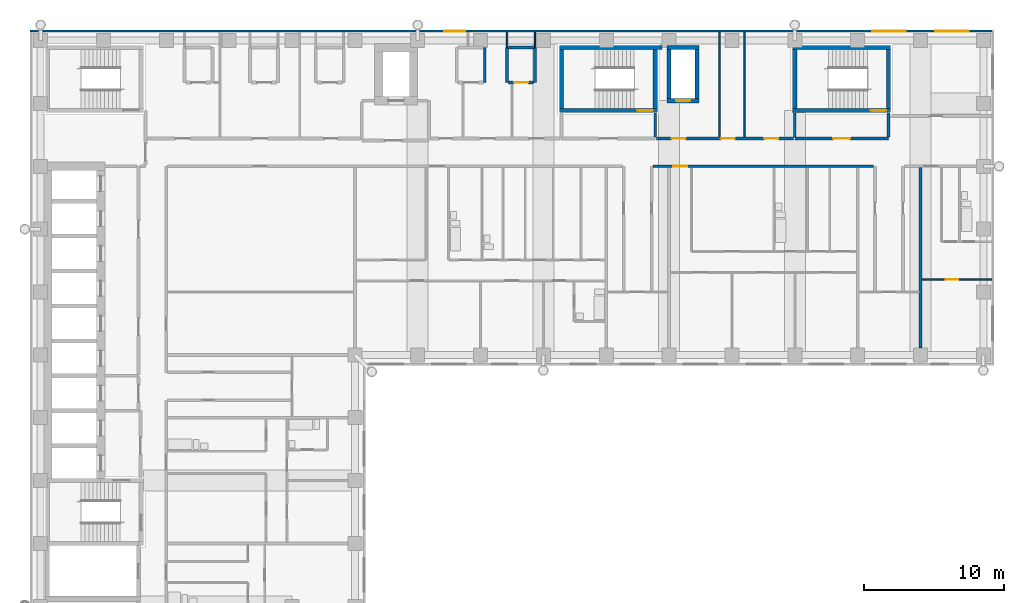
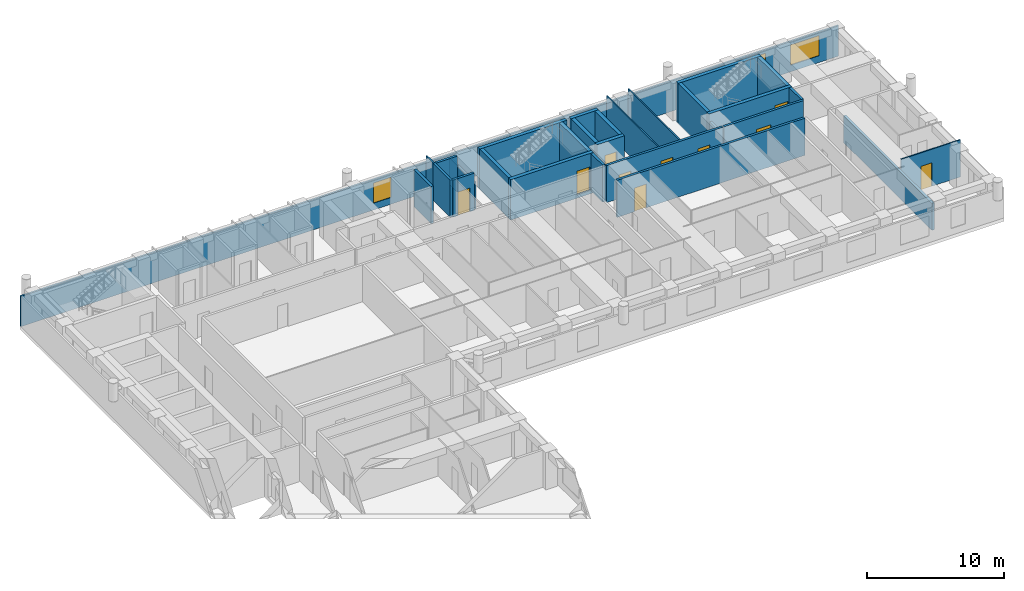
# One storey, part 10 of 14: 30 walls, 10 doors, 3 windows, 13 openings.
"""IFC4 building model written with IfcOpenShell, lengths in metres."""

from ifc_helpers import new_model, si_unit, direction, frame, frame_2d, origin, place, context, subcontext, project, spatial, rectangle, extrude, material, layer, layer_set, type_object, element, fill, save


model = new_model("IFC4")

# Units and contexts
model_context = context("Model", 3, precision=1e-05, world=origin(), true_north=direction((0.0, 1.0)))
body_context = subcontext(model_context, "Body", "Model", "MODEL_VIEW")
ifc_project = project(units=[si_unit("LENGTHUNIT", "METRE"), si_unit("AREAUNIT", "SQUARE_METRE"), si_unit("VOLUMEUNIT", "CUBIC_METRE"), si_unit("PLANEANGLEUNIT", "RADIAN"), si_unit("MASSUNIT", "GRAM", prefix="KILO")], contexts=[model_context])

# Site, building, storey
site_placement = place(None, origin())
site = spatial("IfcSite", under=ifc_project, at=site_placement, CompositionType="ELEMENT")
building_placement = place(site_placement, origin())
building = spatial("IfcBuilding", under=site, at=building_placement, Name="Firuza Court", CompositionType="ELEMENT")
storey_placement = place(building_placement, frame((0.0, 0.0, 159.199951171875)))
storey = spatial("IfcBuildingStorey", under=building, at=storey_placement, Name="L40", CompositionType="ELEMENT", Elevation=159.199951171875)

# Wall, opening, door
ifc_material_1 = material(Name="Concrete C60/75", Category="concrete")
ifc_layer_1 = layer(ifc_material_1, 0.300048828125)
ifc_layer_set_1 = layer_set([ifc_layer_1], Name="Concrete C60/75")
wall_type_1 = type_object("IfcWallType", Name="Core wall 300 C60/75", PredefinedType="SHEAR", material=ifc_layer_set_1)
wall_1_placement = place(storey_placement, frame((37.14990234375, 53.5, -0.300048828125), z_axis=(0.0, 0.0, 1.0), x_axis=(1.0, 0.0, 0.0)))
wall_1 = element("IfcWall", 1, at=wall_1_placement, inside=storey, type_object=wall_type_1, Name="Core wall stair L40", PredefinedType="SHEAR", context=body_context, shape_type="SweptSolid", body=[
    extrude(rectangle(XDim=7.0, YDim=0.300048828125, at=frame_2d((3.5, 0.0))), origin(), (0.0, 0.0, 1.0), 3.60009765625),
])
opening_1_placement = place(wall_1_placement, frame((5.580078125, 0.0, 0.300048828125)))
opening_1 = element("IfcOpeningElement", 2, at=opening_1_placement, cuts=wall_1, Name="Opening D40012", PredefinedType="OPENING", context=body_context, shape_type="SweptSolid", body=[
    extrude(rectangle(XDim=1.10009765625, YDim=2.10009765625, at=frame_2d((0.550048828125, 1.050048828125))), frame((0.0, 0.162109375, 0.0), z_axis=(0.0, -1.0, 0.0), x_axis=(1.0, 0.0, 0.0)), (0.0, 0.0, 1.0), 0.323974609375),
])
ifc_material_2 = material(Name="Timber door leaf in hardwood frame", Category="wood")
door_type_1 = type_object("IfcDoorType", Name="Stair door 1100", OperationType="SINGLE_SWING_LEFT", PredefinedType="DOOR", material=ifc_material_2)
door_1_placement = place(opening_1_placement, origin())
door_1 = element("IfcDoor", 3, at=door_1_placement, inside=storey, type_object=door_type_1, Name="Stair door S1", OperationType="SINGLE_SWING_RIGHT", OverallHeight=2.10009765625, OverallWidth=1.10009765625, PredefinedType="DOOR", context=body_context, shape_type="SweptSolid", body=[
    extrude(rectangle(XDim=1.10009765625, YDim=2.10009765625, at=frame_2d((0.550048828125, 1.050048828125))), frame((0.0, 0.02490234375, 0.0), z_axis=(0.0, -1.0, 0.0), x_axis=(1.0, 0.0, 0.0)), (0.0, 0.0, 1.0), 0.050048828125),
])
fill(opening_1, door_1)

# Walls
wall_2_placement = place(storey_placement, frame((37.14990234375, 58.0, -0.300048828125), z_axis=(0.0, 0.0, 1.0), x_axis=(1.0, 0.0, 0.0)))
element("IfcWall", 4, at=wall_2_placement, inside=storey, type_object=wall_type_1, Name="Core wall stair L40", PredefinedType="SHEAR", context=body_context, shape_type="SweptSolid", body=[
    extrude(rectangle(XDim=7.35009765625, YDim=0.300048828125, at=frame_2d((3.675048828125, 0.0))), origin(), (0.0, 0.0, 1.0), 3.60009765625),
])
for number, where, z_axis, x_axis, name in (
    (5, (37.300048828125, 53.64990234375, -0.300048828125), (0.0, 0.0, 1.0), (0.0, 1.0, 0.0), "Core wall stair L40"),
    (6, (44.0, 53.64990234375, -0.300048828125), (0.0, 0.0, 1.0), (0.0, 1.0, 0.0), "Core wall stair L40"),
):
    element("IfcWall", number, at=place(storey_placement, frame(where, z_axis=z_axis, x_axis=x_axis)), inside=storey, type_object=wall_type_1, Name=name, PredefinedType="SHEAR", context=body_context, shape_type="SweptSolid", body=[
        extrude(rectangle(XDim=4.2001953125, YDim=0.300048828125, at=frame_2d((2.10009765625, 0.0))), origin(), (0.0, 0.0, 1.0), 3.60009765625),
    ])

# Wall, opening, door
wall_3_placement = place(storey_placement, frame((44.85009765625, 54.199951171875, -0.300048828125), z_axis=(0.0, 0.0, 1.0), x_axis=(1.0, 0.0, 0.0)))
wall_3 = element("IfcWall", 7, at=wall_3_placement, inside=storey, type_object=wall_type_1, Name="Core wall riser L40", PredefinedType="SHEAR", context=body_context, shape_type="SweptSolid", body=[
    extrude(rectangle(XDim=2.2998046875, YDim=0.300048828125, at=frame_2d((1.14990234375, 0.0))), origin(), (0.0, 0.0, 1.0), 3.60009765625),
])
opening_2_placement = place(wall_3_placement, frame((0.64990234375, 0.0, 0.300048828125)))
opening_2 = element("IfcOpeningElement", 8, at=opening_2_placement, cuts=wall_3, Name="Opening D40010", PredefinedType="OPENING", context=body_context, shape_type="SweptSolid", body=[
    extrude(rectangle(XDim=1.0, YDim=2.10009765625, at=frame_2d((0.5, 1.050048828125))), frame((0.0, 0.162109375, 0.0), z_axis=(0.0, -1.0, 0.0), x_axis=(1.0, 0.0, 0.0)), (0.0, 0.0, 1.0), 0.323974609375),
])
ifc_material_3 = material(Name="Timber door leaf in hardwood frame", Category="wood")
door_type_2 = type_object("IfcDoorType", Name="Riser door 1000", OperationType="SINGLE_SWING_LEFT", PredefinedType="DOOR", material=ifc_material_3)
door_2_placement = place(opening_2_placement, origin())
door_2 = element("IfcDoor", 9, at=door_2_placement, inside=storey, type_object=door_type_2, Name="Riser door R3", OperationType="SINGLE_SWING_LEFT", OverallHeight=2.10009765625, OverallWidth=1.0, PredefinedType="DOOR", context=body_context, shape_type="SweptSolid", body=[
    extrude(rectangle(XDim=1.0, YDim=2.10009765625, at=frame_2d((0.5, 1.050048828125))), frame((0.0, 0.02490234375, 0.0), z_axis=(0.0, -1.0, 0.0), x_axis=(1.0, 0.0, 0.0)), (0.0, 0.0, 1.0), 0.050048828125),
])
fill(opening_2, door_2)

# Walls
wall_4_placement = place(storey_placement, frame((44.85009765625, 58.0, -0.300048828125), z_axis=(0.0, 0.0, 1.0), x_axis=(1.0, 0.0, 0.0)))
element("IfcWall", 10, at=wall_4_placement, inside=storey, type_object=wall_type_1, Name="Core wall riser L40", PredefinedType="SHEAR", context=body_context, shape_type="SweptSolid", body=[
    extrude(rectangle(XDim=2.2998046875, YDim=0.300048828125, at=frame_2d((1.14990234375, 0.0))), origin(), (0.0, 0.0, 1.0), 3.60009765625),
])
for number, where, z_axis, x_axis, name in (
    (11, (45.0, 54.35009765625, -0.300048828125), (0.0, 0.0, 1.0), (0.0, 1.0, 0.0), "Core wall riser L40"),
    (12, (47.0, 54.35009765625, -0.300048828125), (0.0, 0.0, 1.0), (0.0, 1.0, 0.0), "Core wall riser L40"),
):
    element("IfcWall", number, at=place(storey_placement, frame(where, z_axis=z_axis, x_axis=x_axis)), inside=storey, type_object=wall_type_1, Name=name, PredefinedType="SHEAR", context=body_context, shape_type="SweptSolid", body=[
        extrude(rectangle(XDim=3.5, YDim=0.300048828125, at=frame_2d((1.75, 0.0))), origin(), (0.0, 0.0, 1.0), 3.60009765625),
    ])

# Wall, opening, door
wall_5_placement = place(storey_placement, frame((53.85009765625, 53.5, -0.300048828125), z_axis=(0.0, 0.0, 1.0), x_axis=(1.0, 0.0, 0.0)))
wall_5 = element("IfcWall", 13, at=wall_5_placement, inside=storey, type_object=wall_type_1, Name="Core wall stair L40", PredefinedType="SHEAR", context=body_context, shape_type="SweptSolid", body=[
    extrude(rectangle(XDim=7.0, YDim=0.300048828125, at=frame_2d((3.5, 0.0))), origin(), (0.0, 0.0, 1.0), 3.60009765625),
])
opening_3_placement = place(wall_5_placement, frame((5.580078125, 0.0, 0.300048828125)))
opening_3 = element("IfcOpeningElement", 14, at=opening_3_placement, cuts=wall_5, Name="Opening D40016", PredefinedType="OPENING", context=body_context, shape_type="SweptSolid", body=[
    extrude(rectangle(XDim=1.10009765625, YDim=2.10009765625, at=frame_2d((0.550048828125, 1.050048828125))), frame((0.0, 0.162109375, 0.0), z_axis=(0.0, -1.0, 0.0), x_axis=(1.0, 0.0, 0.0)), (0.0, 0.0, 1.0), 0.323974609375),
])
door_3_placement = place(opening_3_placement, origin())
door_3 = element("IfcDoor", 15, at=door_3_placement, inside=storey, type_object=door_type_1, Name="Stair door S4", OperationType="SINGLE_SWING_RIGHT", OverallHeight=2.10009765625, OverallWidth=1.10009765625, PredefinedType="DOOR", context=body_context, shape_type="SweptSolid", body=[
    extrude(rectangle(XDim=1.10009765625, YDim=2.10009765625, at=frame_2d((0.550048828125, 1.050048828125))), frame((0.0, 0.02490234375, 0.0), z_axis=(0.0, -1.0, 0.0), x_axis=(1.0, 0.0, 0.0)), (0.0, 0.0, 1.0), 0.050048828125),
])
fill(opening_3, door_3)

# Walls
wall_6_placement = place(storey_placement, frame((53.85009765625, 58.0, -0.300048828125), z_axis=(0.0, 0.0, 1.0), x_axis=(1.0, 0.0, 0.0)))
element("IfcWall", 16, at=wall_6_placement, inside=storey, type_object=wall_type_1, Name="Core wall stair L40", PredefinedType="SHEAR", context=body_context, shape_type="SweptSolid", body=[
    extrude(rectangle(XDim=7.0, YDim=0.300048828125, at=frame_2d((3.5, 0.0))), origin(), (0.0, 0.0, 1.0), 3.60009765625),
])
for number, where, z_axis, x_axis, name in (
    (17, (54.0, 53.64990234375, -0.300048828125), (0.0, 0.0, 1.0), (0.0, 1.0, 0.0), "Core wall stair L40"),
    (18, (60.699951171875, 53.64990234375, -0.300048828125), (0.0, 0.0, 1.0), (0.0, 1.0, 0.0), "Core wall stair L40"),
):
    element("IfcWall", number, at=place(storey_placement, frame(where, z_axis=z_axis, x_axis=x_axis)), inside=storey, type_object=wall_type_1, Name=name, PredefinedType="SHEAR", context=body_context, shape_type="SweptSolid", body=[
        extrude(rectangle(XDim=4.2001953125, YDim=0.300048828125, at=frame_2d((2.10009765625, 0.0))), origin(), (0.0, 0.0, 1.0), 3.60009765625),
    ])

# Wall, opening, door
ifc_material_4 = material(Name="Blockwork, plastered both sides", Category="masonry")
ifc_layer_2 = layer(ifc_material_4, 0.199951171875)
ifc_layer_set_2 = layer_set([ifc_layer_2], Name="Blockwork, plastered both sides")
wall_type_2 = type_object("IfcWallType", Name="Corridor wall 200", PredefinedType="PARTITIONING", material=ifc_layer_set_2)
wall_7_placement = place(storey_placement, frame((43.85009765625, 49.5, 0.0), z_axis=(0.0, 0.0, 1.0), x_axis=(1.0, 0.0, 0.0)))
wall_7 = element("IfcWall", 19, at=wall_7_placement, inside=storey, type_object=wall_type_2, Name="Corridor wall 200 L40", PredefinedType="PARTITIONING", context=body_context, shape_type="SweptSolid", body=[
    extrude(rectangle(XDim=15.7998046875, YDim=0.199951171875, at=frame_2d((7.89990234375, 0.0))), origin(), (0.0, 0.0, 1.0), 3.300048828125),
])
opening_4_placement = place(wall_7_placement, frame((1.449951171875, 0.0, 0.0)))
opening_4 = element("IfcOpeningElement", 20, at=opening_4_placement, cuts=wall_7, Name="Opening D40068", PredefinedType="OPENING", context=body_context, shape_type="SweptSolid", body=[
    extrude(rectangle(XDim=1.0, YDim=2.10009765625, at=frame_2d((0.5, 1.050048828125))), frame((0.0, 0.11181640625, 0.0), z_axis=(0.0, -1.0, 0.0), x_axis=(1.0, 0.0, 0.0)), (0.0, 0.0, 1.0), 0.223876953125),
])
ifc_material_5 = material(Name="Timber door leaf in hardwood frame", Category="wood")
door_type_3 = type_object("IfcDoorType", Name="Flat entrance door 1000", OperationType="SINGLE_SWING_LEFT", PredefinedType="DOOR", material=ifc_material_5)
door_4_placement = place(opening_4_placement, origin())
door_4 = element("IfcDoor", 21, at=door_4_placement, inside=storey, type_object=door_type_3, Name="Flat entrance door", OperationType="SINGLE_SWING_LEFT", OverallHeight=2.10009765625, OverallWidth=1.0, PredefinedType="DOOR", context=body_context, shape_type="SweptSolid", body=[
    extrude(rectangle(XDim=1.0, YDim=2.10009765625, at=frame_2d((0.5, 1.050048828125))), frame((0.0, 0.02490234375, 0.0), z_axis=(0.0, -1.0, 0.0), x_axis=(1.0, 0.0, 0.0)), (0.0, 0.0, 1.0), 0.050048828125),
])
fill(opening_4, door_4)

# Wall, openings, doors
wall_8_placement = place(storey_placement, frame((44.10009765625, 51.5, 0.0), z_axis=(0.0, 0.0, 1.0), x_axis=(1.0, 0.0, 0.0)))
wall_8 = element("IfcWall", 22, at=wall_8_placement, inside=storey, type_object=wall_type_2, Name="Corridor wall 200 L40", PredefinedType="PARTITIONING", context=body_context, shape_type="SweptSolid", body=[
    extrude(rectangle(XDim=9.7998046875, YDim=0.199951171875, at=frame_2d((4.89990234375, 0.0))), origin(), (0.0, 0.0, 1.0), 3.300048828125),
])
opening_5_placement = place(wall_8_placement, frame((7.72509765625, 0.0, 0.0)))
opening_5 = element("IfcOpeningElement", 23, at=opening_5_placement, cuts=wall_8, Name="Opening D40076", PredefinedType="OPENING", context=body_context, shape_type="SweptSolid", body=[
    extrude(rectangle(XDim=1.0, YDim=2.10009765625, at=frame_2d((0.5, 1.050048828125))), frame((0.0, 0.11181640625, 0.0), z_axis=(0.0, -1.0, 0.0), x_axis=(1.0, 0.0, 0.0)), (0.0, 0.0, 1.0), 0.223876953125),
])
opening_6_placement = place(wall_8_placement, frame((1.074951171875, 0.0, 0.0)))
opening_6 = element("IfcOpeningElement", 24, at=opening_6_placement, cuts=wall_8, Name="Opening D40077", PredefinedType="OPENING", context=body_context, shape_type="SweptSolid", body=[
    extrude(rectangle(XDim=1.0, YDim=2.10009765625, at=frame_2d((0.5, 1.050048828125))), frame((0.0, 0.11181640625, 0.0), z_axis=(0.0, -1.0, 0.0), x_axis=(1.0, 0.0, 0.0)), (0.0, 0.0, 1.0), 0.223876953125),
])
opening_7_placement = place(wall_8_placement, frame((4.60009765625, 0.0, 0.0)))
opening_7 = element("IfcOpeningElement", 25, at=opening_7_placement, cuts=wall_8, Name="Opening D40078", PredefinedType="OPENING", context=body_context, shape_type="SweptSolid", body=[
    extrude(rectangle(XDim=1.0, YDim=2.10009765625, at=frame_2d((0.5, 1.050048828125))), frame((0.0, 0.11181640625, 0.0), z_axis=(0.0, -1.0, 0.0), x_axis=(1.0, 0.0, 0.0)), (0.0, 0.0, 1.0), 0.223876953125),
])
ifc_material_6 = material(Name="Timber door leaf in hardwood frame", Category="wood")
door_type_4 = type_object("IfcDoorType", Name="Store door 1000", OperationType="SINGLE_SWING_LEFT", PredefinedType="DOOR", material=ifc_material_6)
door_5_placement = place(opening_5_placement, origin())
door_5 = element("IfcDoor", 26, at=door_5_placement, inside=storey, type_object=door_type_4, Name="Cleaner's store door", OperationType="SINGLE_SWING_LEFT", OverallHeight=2.10009765625, OverallWidth=1.0, PredefinedType="DOOR", context=body_context, shape_type="SweptSolid", body=[
    extrude(rectangle(XDim=1.0, YDim=2.10009765625, at=frame_2d((0.5, 1.050048828125))), frame((0.0, 0.02490234375, 0.0), z_axis=(0.0, -1.0, 0.0), x_axis=(1.0, 0.0, 0.0)), (0.0, 0.0, 1.0), 0.050048828125),
])
fill(opening_5, door_5)
door_6_placement = place(opening_6_placement, origin())
door_6 = element("IfcDoor", 27, at=door_6_placement, inside=storey, type_object=door_type_4, Name="Comms room door", OperationType="SINGLE_SWING_LEFT", OverallHeight=2.10009765625, OverallWidth=1.0, PredefinedType="DOOR", context=body_context, shape_type="SweptSolid", body=[
    extrude(rectangle(XDim=1.0, YDim=2.10009765625, at=frame_2d((0.5, 1.050048828125))), frame((0.0, 0.02490234375, 0.0), z_axis=(0.0, -1.0, 0.0), x_axis=(1.0, 0.0, 0.0)), (0.0, 0.0, 1.0), 0.050048828125),
])
fill(opening_6, door_6)
door_7_placement = place(opening_7_placement, origin())
door_7 = element("IfcDoor", 28, at=door_7_placement, inside=storey, type_object=door_type_4, Name="Bicycle store door", OperationType="SINGLE_SWING_LEFT", OverallHeight=2.10009765625, OverallWidth=1.0, PredefinedType="DOOR", context=body_context, shape_type="SweptSolid", body=[
    extrude(rectangle(XDim=1.0, YDim=2.10009765625, at=frame_2d((0.5, 1.050048828125))), frame((0.0, 0.02490234375, 0.0), z_axis=(0.0, -1.0, 0.0), x_axis=(1.0, 0.0, 0.0)), (0.0, 0.0, 1.0), 0.050048828125),
])
fill(opening_7, door_7)

# Wall, opening, door
ifc_material_7 = material(Name="Timber stud partition, plasterboard both sides", Category="wood")
ifc_layer_3 = layer(ifc_material_7, 0.10009765625)
ifc_layer_set_3 = layer_set([ifc_layer_3], Name="Timber stud partition, plasterboard both sides")
wall_type_3 = type_object("IfcWallType", Name="Partition wall 100", PredefinedType="PARTITIONING", material=ifc_layer_set_3)
wall_9_placement = place(storey_placement, frame((63.10009765625, 41.39990234375, 0.0), z_axis=(0.0, 0.0, 1.0), x_axis=(1.0, 0.0, 0.0)))
wall_9 = element("IfcWall", 29, at=wall_9_placement, inside=storey, type_object=wall_type_3, Name="Partition wall 100 L40", PredefinedType="PARTITIONING", context=body_context, shape_type="SweptSolid", body=[
    extrude(rectangle(XDim=5.0, YDim=0.10009765625, at=frame_2d((2.5, 0.0))), origin(), (0.0, 0.0, 1.0), 3.300048828125),
])
opening_8_placement = place(wall_9_placement, frame((1.699951171875, 0.0, 0.0)))
opening_8 = element("IfcOpeningElement", 30, at=opening_8_placement, cuts=wall_9, Name="Opening D40049", PredefinedType="OPENING", context=body_context, shape_type="SweptSolid", body=[
    extrude(rectangle(XDim=0.89990234375, YDim=2.10009765625, at=frame_2d((0.449951171875, 1.050048828125))), frame((0.0, 0.06201171875, 0.0), z_axis=(0.0, -1.0, 0.0), x_axis=(1.0, 0.0, 0.0)), (0.0, 0.0, 1.0), 0.1240234375),
])
ifc_material_8 = material(Name="Timber door leaf in hardwood frame", Category="wood")
door_type_5 = type_object("IfcDoorType", Name="Room door 900", OperationType="SINGLE_SWING_LEFT", PredefinedType="DOOR", material=ifc_material_8)
door_8_placement = place(opening_8_placement, frame((0.89990234375, 0.0, 0.0), z_axis=(0.0, 0.0, 1.0), x_axis=(-1.0, 0.0, 0.0)))
door_8 = element("IfcDoor", 31, at=door_8_placement, inside=storey, type_object=door_type_5, Name="Studio room door", OperationType="SINGLE_SWING_RIGHT", OverallHeight=2.10009765625, OverallWidth=0.89990234375, PredefinedType="DOOR", context=body_context, shape_type="SweptSolid", body=[
    extrude(rectangle(XDim=0.89990234375, YDim=2.10009765625, at=frame_2d((0.449951171875, 1.050048828125))), frame((0.0, 0.02490234375, 0.0), z_axis=(0.0, -1.0, 0.0), x_axis=(1.0, 0.0, 0.0)), (0.0, 0.0, 1.0), 0.050048828125),
])
fill(opening_8, door_8)

# Walls
for number, where, z_axis, x_axis, name in (
    (32, (48.60009765625, 51.60009765625, 0.0), (0.0, 0.0, 1.0), (0.0, 1.0, 0.0), "Partition wall 100 L40"),
    (33, (50.39990234375, 51.60009765625, 0.0), (0.0, 0.0, 1.0), (0.0, 1.0, 0.0), "Partition wall 100 L40"),
):
    element("IfcWall", number, at=place(storey_placement, frame(where, z_axis=z_axis, x_axis=x_axis)), inside=storey, type_object=wall_type_3, Name=name, PredefinedType="PARTITIONING", context=body_context, shape_type="SweptSolid", body=[
        extrude(rectangle(XDim=7.5, YDim=0.10009765625, at=frame_2d((3.75, 0.0))), origin(), (0.0, 0.0, 1.0), 3.300048828125),
    ])
wall_10_placement = place(storey_placement, frame((33.39990234375, 58.0, 0.0), z_axis=(0.0, 0.0, 1.0), x_axis=(0.0, 1.0, 0.0)))
element("IfcWall", 34, at=wall_10_placement, inside=storey, type_object=wall_type_3, Name="Partition wall 100 L40", PredefinedType="PARTITIONING", context=body_context, shape_type="SweptSolid", body=[
    extrude(rectangle(XDim=1.10009765625, YDim=0.10009765625, at=frame_2d((0.550048828125, 0.0))), origin(), (0.0, 0.0, 1.0), 3.300048828125),
])
wall_11_placement = place(storey_placement, frame((35.39990234375, 58.0, 0.0), z_axis=(0.0, 0.0, 1.0), x_axis=(0.0, 1.0, 0.0)))
element("IfcWall", 35, at=wall_11_placement, inside=storey, type_object=wall_type_3, Name="Partition wall 100 L40", PredefinedType="PARTITIONING", context=body_context, shape_type="SweptSolid", body=[
    extrude(rectangle(XDim=1.10009765625, YDim=0.10009765625, at=frame_2d((0.550048828125, 0.0))), origin(), (0.0, 0.0, 1.0), 2.400146484375),
])
ifc_layer_4 = layer(ifc_material_4, 0.199951171875)
ifc_layer_set_4 = layer_set([ifc_layer_4], Name="Blockwork, plastered both sides")
wall_type_4 = type_object("IfcWallType", Name="Party wall 200", PredefinedType="PARTITIONING", material=ifc_layer_set_4)
wall_12_placement = place(storey_placement, frame((63.0, 36.5, 0.0), z_axis=(0.0, 0.0, 1.0), x_axis=(0.0, 1.0, 0.0)))
element("IfcWall", 36, at=wall_12_placement, inside=storey, type_object=wall_type_4, Name="Party wall 200 L40", PredefinedType="PARTITIONING", context=body_context, shape_type="SweptSolid", body=[
    extrude(rectangle(XDim=12.89990234375, YDim=0.199951171875, at=frame_2d((6.449951171875, 0.0))), origin(), (0.0, 0.0, 1.0), 2.400146484375),
])
ifc_material_9 = material(Name="Blockwork, fire-rated", Category="masonry")
ifc_layer_5 = layer(ifc_material_9, 0.199951171875)
ifc_layer_set_5 = layer_set([ifc_layer_5], Name="Blockwork, fire-rated")
wall_type_5 = type_object("IfcWallType", Name="Plant room wall 200", PredefinedType="PARTITIONING", material=ifc_layer_set_5)
for number, where, z_axis, x_axis, name in (
    (37, (31.800048828125, 55.5, 0.0), (0.0, 0.0, 1.0), (0.0, 1.0, 0.0), "Plant room wall 200 L40"),
    (38, (33.39990234375, 55.5, 0.0), (0.0, 0.0, 1.0), (0.0, 1.0, 0.0), "Plant room wall 200 L40"),
):
    element("IfcWall", number, at=place(storey_placement, frame(where, z_axis=z_axis, x_axis=x_axis)), inside=storey, type_object=wall_type_5, Name=name, PredefinedType="PARTITIONING", context=body_context, shape_type="SweptSolid", body=[
        extrude(rectangle(XDim=2.5, YDim=0.199951171875, at=frame_2d((1.25, 0.0))), origin(), (0.0, 0.0, 1.0), 3.300048828125),
    ])

# Wall, opening, door
wall_13_placement = place(storey_placement, frame((33.5, 55.5, 0.0), z_axis=(0.0, 0.0, 1.0), x_axis=(1.0, 0.0, 0.0)))
wall_13 = element("IfcWall", 39, at=wall_13_placement, inside=storey, type_object=wall_type_5, Name="Plant room wall 200 L40", PredefinedType="PARTITIONING", context=body_context, shape_type="SweptSolid", body=[
    extrude(rectangle(XDim=1.800048828125, YDim=0.199951171875, at=frame_2d((0.89990234375, 0.0))), origin(), (0.0, 0.0, 1.0), 3.300048828125),
])
opening_9_placement = place(wall_13_placement, frame((0.39990234375, 0.0, 0.0)))
opening_9 = element("IfcOpeningElement", 40, at=opening_9_placement, cuts=wall_13, Name="Opening D40084", PredefinedType="OPENING", context=body_context, shape_type="SweptSolid", body=[
    extrude(rectangle(XDim=1.0, YDim=2.10009765625, at=frame_2d((0.5, 1.050048828125))), frame((0.0, 0.11181640625, 0.0), z_axis=(0.0, -1.0, 0.0), x_axis=(1.0, 0.0, 0.0)), (0.0, 0.0, 1.0), 0.223876953125),
])
door_9_placement = place(opening_9_placement, origin())
door_9 = element("IfcDoor", 41, at=door_9_placement, inside=storey, type_object=door_type_2, Name="Duct riser door", OperationType="SINGLE_SWING_LEFT", OverallHeight=2.10009765625, OverallWidth=1.0, PredefinedType="DOOR", context=body_context, shape_type="SweptSolid", body=[
    extrude(rectangle(XDim=1.0, YDim=2.10009765625, at=frame_2d((0.5, 1.050048828125))), frame((0.0, 0.02490234375, 0.0), z_axis=(0.0, -1.0, 0.0), x_axis=(1.0, 0.0, 0.0)), (0.0, 0.0, 1.0), 0.050048828125),
])
fill(opening_9, door_9)

# Walls
wall_14_placement = place(storey_placement, frame((35.39990234375, 55.5, 0.0), z_axis=(0.0, 0.0, 1.0), x_axis=(0.0, 1.0, 0.0)))
element("IfcWall", 42, at=wall_14_placement, inside=storey, type_object=wall_type_5, Name="Plant room wall 200 L40", PredefinedType="PARTITIONING", context=body_context, shape_type="SweptSolid", body=[
    extrude(rectangle(XDim=2.5, YDim=0.199951171875, at=frame_2d((1.25, 0.0))), origin(), (0.0, 0.0, 1.0), 2.400146484375),
])
wall_15_placement = place(storey_placement, frame((33.5, 58.0, 0.0), z_axis=(0.0, 0.0, 1.0), x_axis=(1.0, 0.0, 0.0)))
element("IfcWall", 43, at=wall_15_placement, inside=storey, type_object=wall_type_5, Name="Plant room wall 200 L40", PredefinedType="PARTITIONING", context=body_context, shape_type="SweptSolid", body=[
    extrude(rectangle(XDim=1.800048828125, YDim=0.199951171875, at=frame_2d((0.89990234375, 0.0))), origin(), (0.0, 0.0, 1.0), 3.300048828125),
])

# Wall, openings, windows
ifc_material_10 = material(Name="Ceramic tile", Category="ceramic")
ifc_layer_6 = layer(ifc_material_10, 0.02001953125)
ifc_material_11 = material(Name="Mineral wool insulation", Category="insulation")
ifc_layer_7 = layer(ifc_material_11, 0.050048828125)
ifc_material_12 = material(Name="Concrete C40/50 precast", Category="concrete")
ifc_layer_8 = layer(ifc_material_12, 0.080078125)
ifc_layer_set_6 = layer_set([ifc_layer_6, ifc_layer_7, ifc_layer_8], Name="Concrete C40/50 precast")
wall_type_6 = type_object("IfcWallType", Name="Precast cladding wall with turquoise TILE PANEL face 150", PredefinedType="STANDARD", material=ifc_layer_set_6)
wall_16_placement = place(storey_placement, frame((68.10009765625, 59.175048828125, 0.0), z_axis=(0.0, 0.0, 1.0), x_axis=(-1.0, 0.0, 0.0)))
wall_16 = element("IfcWall", 44, at=wall_16_placement, inside=storey, type_object=wall_type_6, Name="Facade wall L40 N", PredefinedType="STANDARD", context=body_context, shape_type="SweptSolid", body=[
    extrude(rectangle(XDim=68.85009765625, YDim=0.14990234375, at=frame_2d((34.425048828125, 0.0))), origin(), (0.0, 0.0, 1.0), 2.699951171875),
])
opening_10_placement = place(wall_16_placement, frame((1.64990234375, 0.0, 0.60009765625)))
opening_10 = element("IfcOpeningElement", 45, at=opening_10_placement, cuts=wall_16, Name="Opening W1", PredefinedType="OPENING", context=body_context, shape_type="SweptSolid", body=[
    extrude(rectangle(XDim=2.39990234375, YDim=1.800048828125, at=frame_2d((1.199951171875, 0.89990234375))), frame((0.0, 0.0869140625, 0.0), z_axis=(0.0, -1.0, 0.0), x_axis=(1.0, 0.0, 0.0)), (0.0, 0.0, 1.0), 0.173828125),
])
opening_11_placement = place(wall_16_placement, frame((6.14990234375, 0.0, 0.60009765625)))
opening_11 = element("IfcOpeningElement", 46, at=opening_11_placement, cuts=wall_16, Name="Opening W1", PredefinedType="OPENING", context=body_context, shape_type="SweptSolid", body=[
    extrude(rectangle(XDim=2.39990234375, YDim=1.800048828125, at=frame_2d((1.199951171875, 0.89990234375))), frame((0.0, 0.0869140625, 0.0), z_axis=(0.0, -1.0, 0.0), x_axis=(1.0, 0.0, 0.0)), (0.0, 0.0, 1.0), 0.173828125),
])
opening_12_placement = place(wall_16_placement, frame((37.6845703125, 0.0, 0.60009765625)))
opening_12 = element("IfcOpeningElement", 47, at=opening_12_placement, cuts=wall_16, Name="Opening W2", PredefinedType="OPENING", context=body_context, shape_type="SweptSolid", body=[
    extrude(rectangle(XDim=1.5, YDim=1.800048828125, at=frame_2d((0.75, 0.89990234375))), frame((0.0, 0.0869140625, 0.0), z_axis=(0.0, -1.0, 0.0), x_axis=(1.0, 0.0, 0.0)), (0.0, 0.0, 1.0), 0.173828125),
])
ifc_material_13 = material(Name="Aluminium frame, triple clear glazing", Category="aluminium")
window_type_1 = type_object("IfcWindowType", Name="Window W1 2400 x 1800", PartitioningType="SINGLE_PANEL", PredefinedType="WINDOW", material=ifc_material_13)
window_1_placement = place(opening_10_placement, origin())
window_1 = element("IfcWindow", 48, at=window_1_placement, inside=storey, type_object=window_type_1, Name="Window L40", OverallHeight=1.800048828125, OverallWidth=2.39990234375, PartitioningType="SINGLE_PANEL", PredefinedType="WINDOW", context=body_context, shape_type="SweptSolid", body=[
    extrude(rectangle(XDim=2.39990234375, YDim=1.800048828125, at=frame_2d((1.199951171875, 0.89990234375))), frame((0.0, 0.030029296875, 0.0), z_axis=(0.0, -1.0, 0.0), x_axis=(1.0, 0.0, 0.0)), (0.0, 0.0, 1.0), 0.06005859375),
])
fill(opening_10, window_1)
window_2_placement = place(opening_11_placement, origin())
window_2 = element("IfcWindow", 49, at=window_2_placement, inside=storey, type_object=window_type_1, Name="Window L40", OverallHeight=1.800048828125, OverallWidth=2.39990234375, PartitioningType="SINGLE_PANEL", PredefinedType="WINDOW", context=body_context, shape_type="SweptSolid", body=[
    extrude(rectangle(XDim=2.39990234375, YDim=1.800048828125, at=frame_2d((1.199951171875, 0.89990234375))), frame((0.0, 0.030029296875, 0.0), z_axis=(0.0, -1.0, 0.0), x_axis=(1.0, 0.0, 0.0)), (0.0, 0.0, 1.0), 0.06005859375),
])
fill(opening_11, window_2)
ifc_material_14 = material(Name="Aluminium frame, triple clear glazing", Category="aluminium")
window_type_2 = type_object("IfcWindowType", Name="Window W2 1500 x 1800", PartitioningType="SINGLE_PANEL", PredefinedType="WINDOW", material=ifc_material_14)
window_3_placement = place(opening_12_placement, origin())
window_3 = element("IfcWindow", 50, at=window_3_placement, inside=storey, type_object=window_type_2, Name="Window L40", OverallHeight=1.800048828125, OverallWidth=1.5, PartitioningType="SINGLE_PANEL", PredefinedType="WINDOW", context=body_context, shape_type="SweptSolid", body=[
    extrude(rectangle(XDim=1.5, YDim=1.800048828125, at=frame_2d((0.75, 0.89990234375))), frame((0.0, 0.030029296875, 0.0), z_axis=(0.0, -1.0, 0.0), x_axis=(1.0, 0.0, 0.0)), (0.0, 0.0, 1.0), 0.06005859375),
])
fill(opening_12, window_3)

# Wall
ifc_layer_9 = layer(ifc_material_9, 0.199951171875)
ifc_layer_set_7 = layer_set([ifc_layer_9], Name="Blockwork, fire-rated")
wall_type_7 = type_object("IfcWallType", Name="Shaft wall 200", PredefinedType="PARTITIONING", material=ifc_layer_set_7)
wall_17_placement = place(storey_placement, frame((44.0, 51.60009765625, 0.0), z_axis=(0.0, 0.0, 1.0), x_axis=(0.0, 1.0, 0.0)))
element("IfcWall", 51, at=wall_17_placement, inside=storey, type_object=wall_type_7, Name="Shaft wall 200 L40", PredefinedType="PARTITIONING", context=body_context, shape_type="SweptSolid", body=[
    extrude(rectangle(XDim=1.72998046875, YDim=0.199951171875, at=frame_2d((0.864990234375, 0.0))), origin(), (0.0, 0.0, 1.0), 3.300048828125),
])

# Wall, opening, door
wall_18_placement = place(storey_placement, frame((54.0, 51.5, 0.0), z_axis=(0.0, 0.0, 1.0), x_axis=(1.0, 0.0, 0.0)))
wall_18 = element("IfcWall", 52, at=wall_18_placement, inside=storey, type_object=wall_type_7, Name="Shaft wall 200 L40", PredefinedType="PARTITIONING", context=body_context, shape_type="SweptSolid", body=[
    extrude(rectangle(XDim=6.699951171875, YDim=0.199951171875, at=frame_2d((3.35009765625, 0.0))), origin(), (0.0, 0.0, 1.0), 3.300048828125),
])
opening_13_placement = place(wall_18_placement, frame((2.75, 0.0, 0.0)))
opening_13 = element("IfcOpeningElement", 53, at=opening_13_placement, cuts=wall_18, Name="Opening D40007", PredefinedType="OPENING", context=body_context, shape_type="SweptSolid", body=[
    extrude(rectangle(XDim=1.199951171875, YDim=2.10009765625, at=frame_2d((0.60009765625, 1.050048828125))), frame((0.0, 0.11181640625, 0.0), z_axis=(0.0, -1.0, 0.0), x_axis=(1.0, 0.0, 0.0)), (0.0, 0.0, 1.0), 0.223876953125),
])
ifc_material_15 = material(Name="Timber door leaf in hardwood frame", Category="wood")
door_type_6 = type_object("IfcDoorType", Name="Lobby door 1200", OperationType="SINGLE_SWING_LEFT", PredefinedType="DOOR", material=ifc_material_15)
door_10_placement = place(opening_13_placement, origin())
door_10 = element("IfcDoor", 54, at=door_10_placement, inside=storey, type_object=door_type_6, Name="Lobby door", OperationType="SINGLE_SWING_LEFT", OverallHeight=2.10009765625, OverallWidth=1.199951171875, PredefinedType="DOOR", context=body_context, shape_type="SweptSolid", body=[
    extrude(rectangle(XDim=1.199951171875, YDim=2.10009765625, at=frame_2d((0.60009765625, 1.050048828125))), frame((0.0, 0.02490234375, 0.0), z_axis=(0.0, -1.0, 0.0), x_axis=(1.0, 0.0, 0.0)), (0.0, 0.0, 1.0), 0.050048828125),
])
fill(opening_13, door_10)

# Walls
wall_19_placement = place(storey_placement, frame((60.699951171875, 51.60009765625, 0.0), z_axis=(0.0, 0.0, 1.0), x_axis=(0.0, 1.0, 0.0)))
element("IfcWall", 55, at=wall_19_placement, inside=storey, type_object=wall_type_7, Name="Shaft wall 200 L40", PredefinedType="PARTITIONING", context=body_context, shape_type="SweptSolid", body=[
    extrude(rectangle(XDim=1.72998046875, YDim=0.199951171875, at=frame_2d((0.864990234375, 0.0))), origin(), (0.0, 0.0, 1.0), 3.300048828125),
])
wall_20_placement = place(storey_placement, frame((54.0, 51.60009765625, 0.0), z_axis=(0.0, 0.0, 1.0), x_axis=(0.0, 1.0, 0.0)))
element("IfcWall", 56, at=wall_20_placement, inside=storey, type_object=wall_type_7, Name="Shaft wall 200 L40", PredefinedType="PARTITIONING", context=body_context, shape_type="SweptSolid", body=[
    extrude(rectangle(XDim=1.72998046875, YDim=0.199951171875, at=frame_2d((0.864990234375, 0.0))), origin(), (0.0, 0.0, 1.0), 2.60009765625),
])

save(model, "model.ifc")
